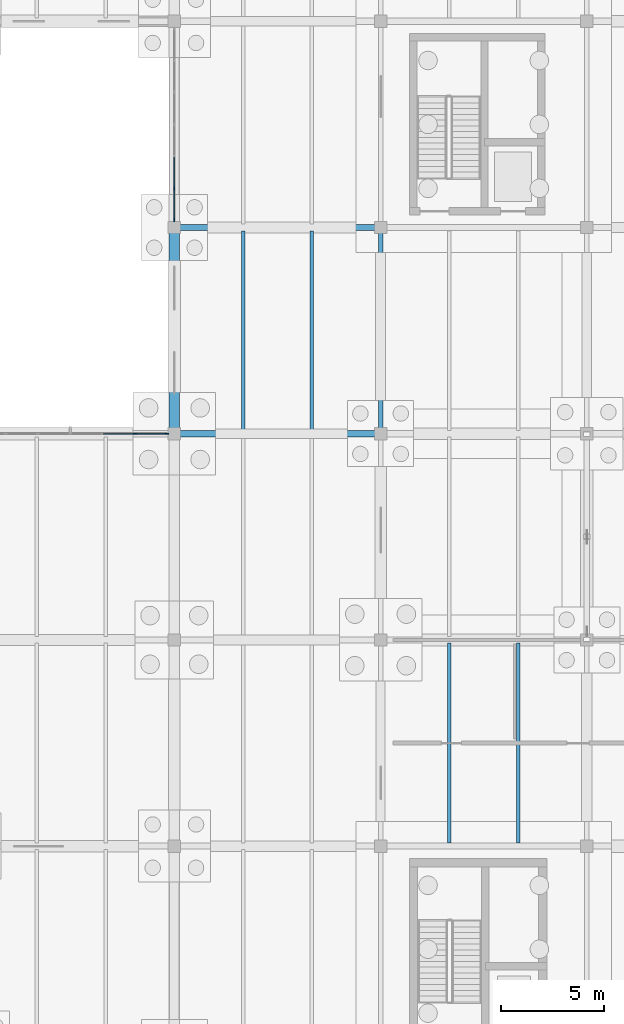
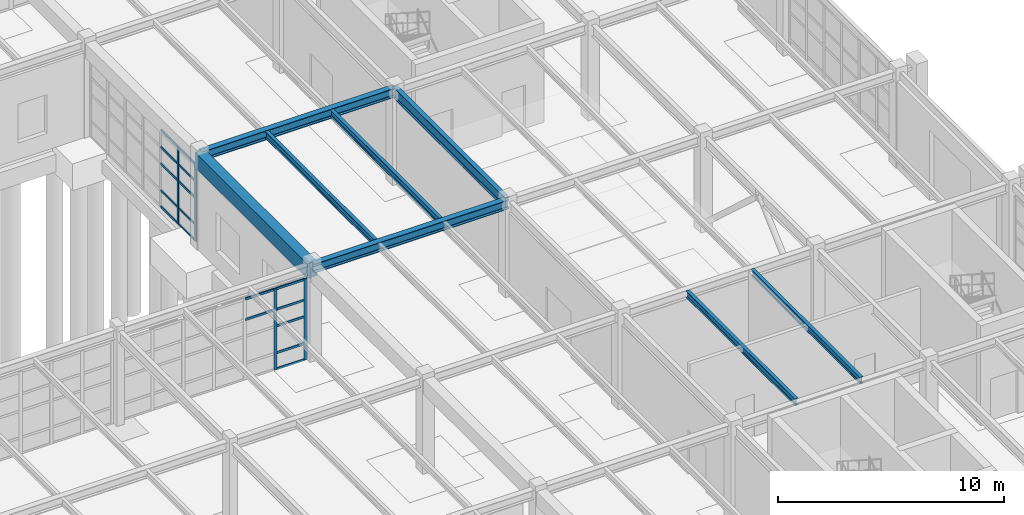
# One storey, part 69 of 145: 21 members, 8 beams, 2 elements without a shape of their own.
"""IFC4 building model written with IfcOpenShell, lengths in metres."""

from ifc_helpers import new_model, si_unit, direction, frame, origin, origin_2d, place, context, subcontext, project, spatial, rectangle, i_section, extrude, material, layer, layer_set, material_profile, profile_set, type_object, element, aggregate, save


model = new_model("IFC4")

# Units and contexts
model_context = context("Model", 3, precision=1e-05, world=origin(), true_north=direction((0.0, 1.0)))
body_context = subcontext(model_context, "Body", "Model", "MODEL_VIEW")
ifc_project = project(units=[si_unit("LENGTHUNIT", "METRE"), si_unit("AREAUNIT", "SQUARE_METRE"), si_unit("VOLUMEUNIT", "CUBIC_METRE"), si_unit("PLANEANGLEUNIT", "RADIAN"), si_unit("MASSUNIT", "GRAM", prefix="KILO"), si_unit("THERMODYNAMICTEMPERATUREUNIT", "KELVIN"), si_unit("POWERUNIT", "WATT")], contexts=[model_context])

# Site, building, storey
site_placement = place(None, origin())
site = spatial("IfcSite", under=ifc_project, at=site_placement, CompositionType="ELEMENT")
building_placement = place(site_placement, origin())
building = spatial("IfcBuilding", under=site, at=building_placement, Name="Korenveer Ferry Terminal", CompositionType="ELEMENT")
storey_placement = place(building_placement, origin())
storey = spatial("IfcBuildingStorey", under=building, at=storey_placement, Name="L00", CompositionType="ELEMENT", Elevation=0.0)

# Curtain wall, members
ifc_material_1 = material(Name="Unitised bronze-and-glass curtain wall", Category="glass")
ifc_layer_1 = layer(ifc_material_1, 0.159912109375)
ifc_layer_set_1 = layer_set([ifc_layer_1], Name="Unitised bronze-and-glass curtain wall")
curtain_wall_type_1 = type_object("IfcCurtainWallType", Name="ENV-CW-05", PredefinedType="USERDEFINED", material=ifc_layer_set_1)
curtain_wall_1_placement = place(storey_placement, frame((136.22998046875, 50.0, 0.0)))
curtain_wall_1 = element("IfcCurtainWall", 1, at=curtain_wall_1_placement, inside=storey, type_object=curtain_wall_type_1, Name="Lancet curtain wall CWX-L00-X136-146-Y50-50", ObjectType="UNITISED CURTAIN WALL", PredefinedType="USERDEFINED")
ifc_material_2 = material(Name="Anodised bronze aluminium", Category="aluminium")
ifc_material_profile_1 = material_profile(ifc_material_2, rectangle(XDim=0.06005859375, YDim=0.159912109375, at=origin_2d()), Name="ALU 60x160")
ifc_profile_set_1 = profile_set([ifc_material_profile_1], Name="Anodised bronze aluminium")
member_type_1 = type_object("IfcMemberType", Name="ENV-CWM-60X160", PredefinedType="MULLION", material=ifc_profile_set_1)
member_1_placement = place(storey_placement, frame((144.0966796875, 50.0, 0.0), z_axis=(0.0, 0.0, 1.0), x_axis=(0.0, 1.0, 0.0)))
member_1 = element("IfcMember", 2, at=member_1_placement, type_object=member_type_1, Name="CW-05 mullion 6", PredefinedType="MULLION", context=body_context, shape_type="SweptSolid", body=[
    extrude(rectangle(XDim=0.06005859375, YDim=0.159912109375, at=origin_2d()), origin(), (0.0, 0.0, 1.0), 4.389892578125),
])
member_2_placement = place(storey_placement, frame((145.639892578125, 50.0, 0.0), z_axis=(0.0, 0.0, 1.0), x_axis=(0.0, 1.0, 0.0)))
member_2 = element("IfcMember", 3, at=member_2_placement, type_object=member_type_1, Name="CW-05 mullion 7", PredefinedType="MULLION", context=body_context, shape_type="SweptSolid", body=[
    extrude(rectangle(XDim=0.06005859375, YDim=0.159912109375, at=origin_2d()), origin(), (0.0, 0.0, 1.0), 4.389892578125),
])

ifc_layer_2 = layer(ifc_material_1, 0.159912109375)
ifc_layer_set_2 = layer_set([ifc_layer_2], Name="Unitised bronze-and-glass curtain wall")
curtain_wall_type_2 = type_object("IfcCurtainWallType", Name="ENV-CW-32", PredefinedType="USERDEFINED", material=ifc_layer_set_2)
curtain_wall_2_placement = place(storey_placement, frame((146.0, 60.330078125, 0.0)))
curtain_wall_2 = element("IfcCurtainWall", 4, at=curtain_wall_2_placement, inside=storey, type_object=curtain_wall_type_2, Name="Lancet curtain wall CWX-L00-X146-146-Y60-70", ObjectType="UNITISED CURTAIN WALL", PredefinedType="USERDEFINED")
member_3_placement = place(storey_placement, frame((146.0, 60.360107421875, 0.0), z_axis=(0.0, 0.0, 1.0), x_axis=(-1.0, 0.0, 0.0)))
member_3 = element("IfcMember", 5, at=member_3_placement, type_object=member_type_1, Name="CW-32 mullion 1", PredefinedType="MULLION", context=body_context, shape_type="SweptSolid", body=[
    extrude(rectangle(XDim=0.06005859375, YDim=0.159912109375, at=origin_2d()), origin(), (0.0, 0.0, 1.0), 4.18994140625),
])
member_4_placement = place(storey_placement, frame((146.0, 61.88671875, 0.0), z_axis=(0.0, 0.0, 1.0), x_axis=(-1.0, 0.0, 0.0)))
member_4 = element("IfcMember", 6, at=member_4_placement, type_object=member_type_1, Name="CW-32 mullion 2", PredefinedType="MULLION", context=body_context, shape_type="SweptSolid", body=[
    extrude(rectangle(XDim=0.06005859375, YDim=0.159912109375, at=origin_2d()), origin(), (0.0, 0.0, 1.0), 4.18994140625),
])

# Member
ifc_material_profile_2 = material_profile(ifc_material_2, rectangle(XDim=0.06005859375, YDim=0.1201171875, at=origin_2d()), Name="ALU 60x120")
ifc_profile_set_2 = profile_set([ifc_material_profile_2], Name="Anodised bronze aluminium")
member_type_2 = type_object("IfcMemberType", Name="ENV-CWT-60X120", PredefinedType="USERDEFINED", material=ifc_profile_set_2)
member_5_placement = place(storey_placement, frame((142.55322265625, 50.0, 3.25), z_axis=(1.0, 0.0, 0.0), x_axis=(0.0, 1.0, 0.0)))
member_5 = element("IfcMember", 7, at=member_5_placement, type_object=member_type_2, Name="CW-05 transom 5.4", ObjectType="TRANSOM", PredefinedType="USERDEFINED", context=body_context, shape_type="SweptSolid", body=[
    extrude(rectangle(XDim=0.06005859375, YDim=0.1201171875, at=origin_2d()), origin(), (0.0, 0.0, 1.0), 1.513427734375),
])

member_6_placement = place(storey_placement, frame((142.55322265625, 50.0, 4.360107421875), z_axis=(1.0, 0.0, 0.0), x_axis=(0.0, 1.0, 0.0)))
member_6 = element("IfcMember", 8, at=member_6_placement, type_object=member_type_2, Name="CW-05 transom 5.5", ObjectType="TRANSOM", PredefinedType="USERDEFINED", context=body_context, shape_type="SweptSolid", body=[
    extrude(rectangle(XDim=0.06005859375, YDim=0.1201171875, at=origin_2d()), origin(), (0.0, 0.0, 1.0), 1.513427734375),
])

member_7_placement = place(storey_placement, frame((144.126708984375, 50.0, 0.030029296875), z_axis=(1.0, 0.0, 0.0), x_axis=(0.0, 1.0, 0.0)))
member_7 = element("IfcMember", 9, at=member_7_placement, type_object=member_type_2, Name="CW-05 transom 6.1", ObjectType="TRANSOM", PredefinedType="USERDEFINED", context=body_context, shape_type="SweptSolid", body=[
    extrude(rectangle(XDim=0.06005859375, YDim=0.1201171875, at=origin_2d()), origin(), (0.0, 0.0, 1.0), 1.4833984375),
])

member_8_placement = place(storey_placement, frame((144.126708984375, 50.0, 0.89990234375), z_axis=(1.0, 0.0, 0.0), x_axis=(0.0, 1.0, 0.0)))
member_8 = element("IfcMember", 10, at=member_8_placement, type_object=member_type_2, Name="CW-05 transom 6.2", ObjectType="TRANSOM", PredefinedType="USERDEFINED", context=body_context, shape_type="SweptSolid", body=[
    extrude(rectangle(XDim=0.06005859375, YDim=0.1201171875, at=origin_2d()), origin(), (0.0, 0.0, 1.0), 1.4833984375),
])

member_9_placement = place(storey_placement, frame((144.126708984375, 50.0, 2.35009765625), z_axis=(1.0, 0.0, 0.0), x_axis=(0.0, 1.0, 0.0)))
member_9 = element("IfcMember", 11, at=member_9_placement, type_object=member_type_2, Name="CW-05 transom 6.3", ObjectType="TRANSOM", PredefinedType="USERDEFINED", context=body_context, shape_type="SweptSolid", body=[
    extrude(rectangle(XDim=0.06005859375, YDim=0.1201171875, at=origin_2d()), origin(), (0.0, 0.0, 1.0), 1.4833984375),
])

member_10_placement = place(storey_placement, frame((144.126708984375, 50.0, 3.25), z_axis=(1.0, 0.0, 0.0), x_axis=(0.0, 1.0, 0.0)))
member_10 = element("IfcMember", 12, at=member_10_placement, type_object=member_type_2, Name="CW-05 transom 6.4", ObjectType="TRANSOM", PredefinedType="USERDEFINED", context=body_context, shape_type="SweptSolid", body=[
    extrude(rectangle(XDim=0.06005859375, YDim=0.1201171875, at=origin_2d()), origin(), (0.0, 0.0, 1.0), 1.4833984375),
])

member_11_placement = place(storey_placement, frame((144.126708984375, 50.0, 4.360107421875), z_axis=(1.0, 0.0, 0.0), x_axis=(0.0, 1.0, 0.0)))
member_11 = element("IfcMember", 13, at=member_11_placement, type_object=member_type_2, Name="CW-05 transom 6.5", ObjectType="TRANSOM", PredefinedType="USERDEFINED", context=body_context, shape_type="SweptSolid", body=[
    extrude(rectangle(XDim=0.06005859375, YDim=0.1201171875, at=origin_2d()), origin(), (0.0, 0.0, 1.0), 1.4833984375),
])

aggregate(curtain_wall_1, [member_1, member_2, member_5, member_6, member_7, member_8, member_9, member_10, member_11])

member_12_placement = place(storey_placement, frame((146.0, 60.389892578125, 0.030029296875), z_axis=(0.0, 1.0, 0.0), x_axis=(-1.0, 0.0, 0.0)))
member_12 = element("IfcMember", 14, at=member_12_placement, type_object=member_type_2, Name="CW-32 transom 1.1", ObjectType="TRANSOM", PredefinedType="USERDEFINED", context=body_context, shape_type="SweptSolid", body=[
    extrude(rectangle(XDim=0.06005859375, YDim=0.1201171875, at=origin_2d()), origin(), (0.0, 0.0, 1.0), 1.466796875),
])

member_13_placement = place(storey_placement, frame((146.0, 60.389892578125, 0.89990234375), z_axis=(0.0, 1.0, 0.0), x_axis=(-1.0, 0.0, 0.0)))
member_13 = element("IfcMember", 15, at=member_13_placement, type_object=member_type_2, Name="CW-32 transom 1.2", ObjectType="TRANSOM", PredefinedType="USERDEFINED", context=body_context, shape_type="SweptSolid", body=[
    extrude(rectangle(XDim=0.06005859375, YDim=0.1201171875, at=origin_2d()), origin(), (0.0, 0.0, 1.0), 1.466796875),
])

member_14_placement = place(storey_placement, frame((146.0, 60.389892578125, 2.35009765625), z_axis=(0.0, 1.0, 0.0), x_axis=(-1.0, 0.0, 0.0)))
member_14 = element("IfcMember", 16, at=member_14_placement, type_object=member_type_2, Name="CW-32 transom 1.3", ObjectType="TRANSOM", PredefinedType="USERDEFINED", context=body_context, shape_type="SweptSolid", body=[
    extrude(rectangle(XDim=0.06005859375, YDim=0.1201171875, at=origin_2d()), origin(), (0.0, 0.0, 1.0), 1.466796875),
])

member_15_placement = place(storey_placement, frame((146.0, 60.389892578125, 3.25), z_axis=(0.0, 1.0, 0.0), x_axis=(-1.0, 0.0, 0.0)))
member_15 = element("IfcMember", 17, at=member_15_placement, type_object=member_type_2, Name="CW-32 transom 1.4", ObjectType="TRANSOM", PredefinedType="USERDEFINED", context=body_context, shape_type="SweptSolid", body=[
    extrude(rectangle(XDim=0.06005859375, YDim=0.1201171875, at=origin_2d()), origin(), (0.0, 0.0, 1.0), 1.466796875),
])

member_16_placement = place(storey_placement, frame((146.0, 60.389892578125, 4.159912109375), z_axis=(0.0, 1.0, 0.0), x_axis=(-1.0, 0.0, 0.0)))
member_16 = element("IfcMember", 18, at=member_16_placement, type_object=member_type_2, Name="CW-32 transom 1.5", ObjectType="TRANSOM", PredefinedType="USERDEFINED", context=body_context, shape_type="SweptSolid", body=[
    extrude(rectangle(XDim=0.06005859375, YDim=0.1201171875, at=origin_2d()), origin(), (0.0, 0.0, 1.0), 1.466796875),
])

member_17_placement = place(storey_placement, frame((146.0, 61.916748046875, 0.030029296875), z_axis=(0.0, 1.0, 0.0), x_axis=(-1.0, 0.0, 0.0)))
member_17 = element("IfcMember", 19, at=member_17_placement, type_object=member_type_2, Name="CW-32 transom 2.1", ObjectType="TRANSOM", PredefinedType="USERDEFINED", context=body_context, shape_type="SweptSolid", body=[
    extrude(rectangle(XDim=0.06005859375, YDim=0.1201171875, at=origin_2d()), origin(), (0.0, 0.0, 1.0), 1.49658203125),
])

member_18_placement = place(storey_placement, frame((146.0, 61.916748046875, 0.89990234375), z_axis=(0.0, 1.0, 0.0), x_axis=(-1.0, 0.0, 0.0)))
member_18 = element("IfcMember", 20, at=member_18_placement, type_object=member_type_2, Name="CW-32 transom 2.2", ObjectType="TRANSOM", PredefinedType="USERDEFINED", context=body_context, shape_type="SweptSolid", body=[
    extrude(rectangle(XDim=0.06005859375, YDim=0.1201171875, at=origin_2d()), origin(), (0.0, 0.0, 1.0), 1.49658203125),
])

member_19_placement = place(storey_placement, frame((146.0, 61.916748046875, 2.35009765625), z_axis=(0.0, 1.0, 0.0), x_axis=(-1.0, 0.0, 0.0)))
member_19 = element("IfcMember", 21, at=member_19_placement, type_object=member_type_2, Name="CW-32 transom 2.3", ObjectType="TRANSOM", PredefinedType="USERDEFINED", context=body_context, shape_type="SweptSolid", body=[
    extrude(rectangle(XDim=0.06005859375, YDim=0.1201171875, at=origin_2d()), origin(), (0.0, 0.0, 1.0), 1.49658203125),
])

member_20_placement = place(storey_placement, frame((146.0, 61.916748046875, 3.25), z_axis=(0.0, 1.0, 0.0), x_axis=(-1.0, 0.0, 0.0)))
member_20 = element("IfcMember", 22, at=member_20_placement, type_object=member_type_2, Name="CW-32 transom 2.4", ObjectType="TRANSOM", PredefinedType="USERDEFINED", context=body_context, shape_type="SweptSolid", body=[
    extrude(rectangle(XDim=0.06005859375, YDim=0.1201171875, at=origin_2d()), origin(), (0.0, 0.0, 1.0), 1.49658203125),
])

member_21_placement = place(storey_placement, frame((146.0, 61.916748046875, 4.159912109375), z_axis=(0.0, 1.0, 0.0), x_axis=(-1.0, 0.0, 0.0)))
member_21 = element("IfcMember", 23, at=member_21_placement, type_object=member_type_2, Name="CW-32 transom 2.5", ObjectType="TRANSOM", PredefinedType="USERDEFINED", context=body_context, shape_type="SweptSolid", body=[
    extrude(rectangle(XDim=0.06005859375, YDim=0.1201171875, at=origin_2d()), origin(), (0.0, 0.0, 1.0), 1.49658203125),
])

aggregate(curtain_wall_2, [member_3, member_4, member_12, member_13, member_14, member_15, member_16, member_17, member_18, member_19, member_20, member_21])

# Beams
ifc_material_3 = material(Name="Steel S355", Category="steel")
ifc_material_profile_3 = material_profile(ifc_material_3, i_section(OverallWidth=0.300048828125, OverallDepth=0.5, WebThickness=0.014404296875, FlangeThickness=0.028076171875, FilletRadius=0.027099609375, at=origin_2d()), Name="HEB 500")
ifc_profile_set_3 = profile_set([ifc_material_profile_3], Name="Steel S355")
beam_type_1 = type_object("IfcBeamType", Name="STR-BM-HEB500", PredefinedType="BEAM", material=ifc_profile_set_3)
for number, where, z_axis, x_axis, name in (
    (24, (146.02001953125, 50.0, 4.8701171875), (1.0, 0.0, 0.0), (0.0, 1.0, 0.0), "Primary X girder BMX-L01-X146-156-Y50"),
    (25, (146.02001953125, 60.0, 4.8701171875), (1.0, 0.0, 0.0), (0.0, 1.0, 0.0), "Primary X girder BMX-L01-X146-156-Y60"),
):
    element("IfcBeam", number, at=place(storey_placement, frame(where, z_axis=z_axis, x_axis=x_axis)), inside=storey, type_object=beam_type_1, Name=name, PredefinedType="BEAM", context=body_context, shape_type="SweptSolid", body=[
        extrude(i_section(OverallWidth=0.300048828125, OverallDepth=0.5, WebThickness=0.014404296875, FlangeThickness=0.028076171875, FilletRadius=0.027099609375, at=origin_2d()), origin(), (0.0, 0.0, 1.0), 9.9599609375),
    ])
ifc_material_profile_4 = material_profile(ifc_material_3, i_section(OverallWidth=0.219970703125, OverallDepth=0.60009765625, WebThickness=0.011962890625, FlangeThickness=0.01904296875, FilletRadius=0.02392578125, at=origin_2d()), Name="IPE 600")
ifc_profile_set_4 = profile_set([ifc_material_profile_4], Name="Steel S355")
beam_type_2 = type_object("IfcBeamType", Name="STR-BM-IPE600", PredefinedType="BEAM", material=ifc_profile_set_4)
beam_1_placement = place(storey_placement, frame((156.0, 50.02001953125, 4.820068359375), z_axis=(0.0, 1.0, 0.0), x_axis=(-1.0, 0.0, 0.0)))
element("IfcBeam", 26, at=beam_1_placement, inside=storey, type_object=beam_type_2, Name="Primary Y girder BMY-L01-X156-Y50-60", PredefinedType="BEAM", context=body_context, shape_type="SweptSolid", body=[
    extrude(i_section(OverallWidth=0.219970703125, OverallDepth=0.60009765625, WebThickness=0.011962890625, FlangeThickness=0.01904296875, FilletRadius=0.02392578125, at=origin_2d()), origin(), (0.0, 0.0, 1.0), 9.9599609375),
])
ifc_material_4 = material(Name="Concrete C40/50", Category="concrete")
ifc_material_profile_5 = material_profile(ifc_material_4, rectangle(XDim=0.5, YDim=0.800048828125, at=origin_2d()), Name="RC 500x800")
ifc_profile_set_5 = profile_set([ifc_material_profile_5], Name="Concrete C40/50")
beam_type_3 = type_object("IfcBeamType", Name="STR-BM-RC500X800", PredefinedType="BEAM", material=ifc_profile_set_5)
beam_2_placement = place(storey_placement, frame((146.0, 50.02001953125, 4.719970703125), z_axis=(0.0, 1.0, 0.0), x_axis=(-1.0, 0.0, 0.0)))
element("IfcBeam", 27, at=beam_2_placement, inside=storey, type_object=beam_type_3, Name="Primary Y girder BMY-L01-X146-Y50-60", PredefinedType="BEAM", context=body_context, shape_type="SweptSolid", body=[
    extrude(rectangle(XDim=0.5, YDim=0.800048828125, at=origin_2d()), origin(), (0.0, 0.0, 1.0), 9.9599609375),
])
ifc_material_profile_6 = material_profile(ifc_material_3, i_section(OverallWidth=0.169921875, OverallDepth=0.360107421875, WebThickness=0.008056640625, FlangeThickness=0.0126953125, FilletRadius=0.01806640625, at=origin_2d()), Name="IPE 360")
ifc_profile_set_6 = profile_set([ifc_material_profile_6], Name="Steel S355")
beam_type_4 = type_object("IfcBeamType", Name="STR-JST-IPE360", PredefinedType="JOIST", material=ifc_profile_set_6)
for number, where, z_axis, x_axis, name in (
    (28, (149.333251953125, 50.159912109375, 4.93994140625), (0.0, 1.0, 0.0), (-1.0, 0.0, 0.0), "Secondary composite joist JST-L01-X1493-Y50-60"),
    (29, (152.666748046875, 50.159912109375, 4.93994140625), (0.0, 1.0, 0.0), (-1.0, 0.0, 0.0), "Secondary composite joist JST-L01-X1527-Y50-60"),
    (30, (159.333251953125, 30.159912109375, 4.93994140625), (0.0, 1.0, 0.0), (-1.0, 0.0, 0.0), "Secondary composite joist JST-L01-X1593-Y30-40"),
    (31, (162.666748046875, 30.159912109375, 4.93994140625), (0.0, 1.0, 0.0), (-1.0, 0.0, 0.0), "Secondary composite joist JST-L01-X1627-Y30-40"),
):
    element("IfcBeam", number, at=place(storey_placement, frame(where, z_axis=z_axis, x_axis=x_axis)), inside=storey, type_object=beam_type_4, Name=name, PredefinedType="JOIST", context=body_context, shape_type="SweptSolid", body=[
        extrude(i_section(OverallWidth=0.169921875, OverallDepth=0.360107421875, WebThickness=0.008056640625, FlangeThickness=0.0126953125, FilletRadius=0.01806640625, at=origin_2d()), origin(), (0.0, 0.0, 1.0), 9.68017578125),
    ])

save(model, "model.ifc")
